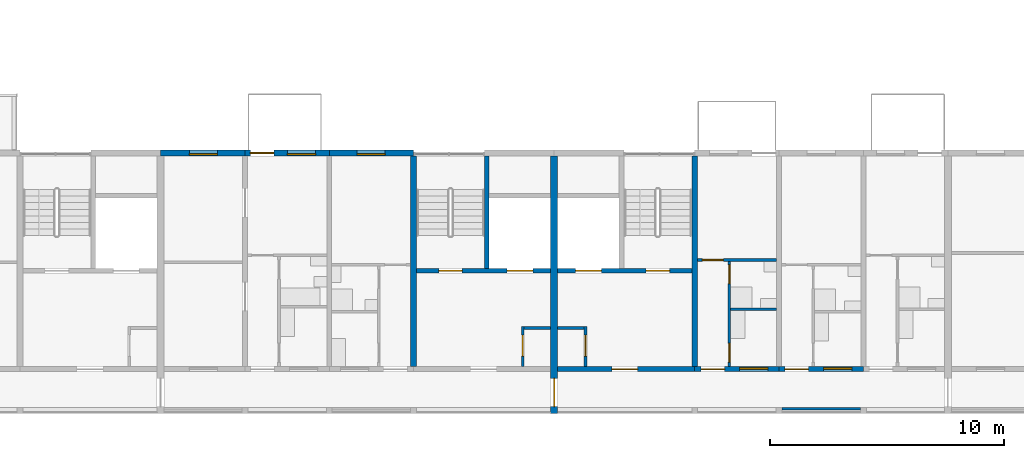
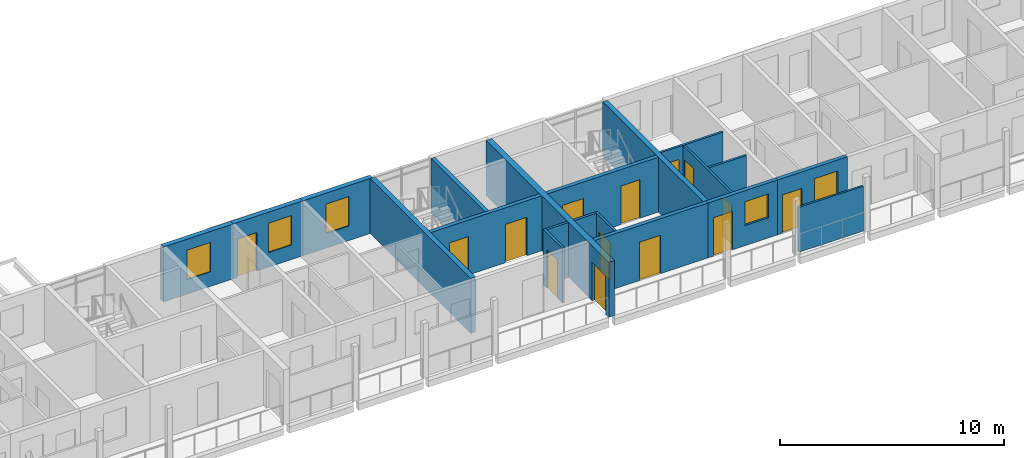
# One storey, part 38 of 87: 20 walls, 14 doors, 5 windows, 19 openings.
"""IFC4 building model written with IfcOpenShell, lengths in metres."""

from ifc_helpers import new_model, si_unit, direction, frame, frame_2d, origin, place, context, subcontext, project, spatial, rectangle, extrude, material, layer, layer_set, type_object, element, fill, save


model = new_model("IFC4")

# Units and contexts
model_context = context("Model", 3, precision=1e-05, world=origin(), true_north=direction((0.0, 1.0)))
body_context = subcontext(model_context, "Body", "Model", "MODEL_VIEW")
ifc_project = project(units=[si_unit("LENGTHUNIT", "METRE"), si_unit("AREAUNIT", "SQUARE_METRE"), si_unit("VOLUMEUNIT", "CUBIC_METRE"), si_unit("PLANEANGLEUNIT", "RADIAN"), si_unit("MASSUNIT", "GRAM", prefix="KILO")], contexts=[model_context])

# Site, building, storey
site_placement = place(None, origin())
site = spatial("IfcSite", under=ifc_project, at=site_placement, CompositionType="ELEMENT")
building_placement = place(site_placement, origin())
building = spatial("IfcBuilding", under=site, at=building_placement, Name="Ridgestep Commons", CompositionType="ELEMENT")
storey_placement = place(building_placement, frame((0.0, 0.0, 27.0)))
storey = spatial("IfcBuildingStorey", under=building, at=storey_placement, Name="L09", CompositionType="ELEMENT", Elevation=27.0)

# Walls
ifc_material_1 = material(Name="Concrete C30/37", Category="concrete")
ifc_layer_1 = layer(ifc_material_1, 0.25)
ifc_layer_set_1 = layer_set([ifc_layer_1], Name="Core cross wall 250")
wall_type_1 = type_object("IfcWallType", Name="Core cross wall 250", PredefinedType="SHEAR", material=ifc_layer_set_1)
for number, where, z_axis, x_axis, name in (
    (1, (39.60009765625, 13.75, 0.0), (0.0, 0.0, 1.0), (0.0, 1.0, 0.0), "Cross wall A-09-0396"),
    (2, (51.60009765625, 13.75, 0.0), (0.0, 0.0, 1.0), (0.0, 1.0, 0.0), "Cross wall A-09-0516"),
):
    element("IfcWall", number, at=place(storey_placement, frame(where, z_axis=z_axis, x_axis=x_axis)), inside=storey, type_object=wall_type_1, Name=name, PredefinedType="SHEAR", context=body_context, shape_type="SweptSolid", body=[
        extrude(rectangle(XDim=9.0, YDim=0.25, at=frame_2d((4.5, 0.0))), origin(), (0.0, 0.0, 1.0), 3.0),
    ])

# Wall, opening, door
ifc_material_2 = material(Name="Concrete C30/37", Category="concrete")
ifc_layer_2 = layer(ifc_material_2, 0.199951171875)
ifc_layer_set_2 = layer_set([ifc_layer_2], Name="Core south wall 200")
wall_type_2 = type_object("IfcWallType", Name="Core south wall 200", PredefinedType="SHEAR", material=ifc_layer_set_2)
wall_1_placement = place(storey_placement, frame((45.75, 13.64990234375, 0.0), z_axis=(0.0, 0.0, 1.0), x_axis=(1.0, 0.0, 0.0)))
wall_1 = element("IfcWall", 3, at=wall_1_placement, inside=storey, type_object=wall_type_2, Name="Core south wall A3C L09", PredefinedType="SHEAR", context=body_context, shape_type="SweptSolid", body=[
    extrude(rectangle(XDim=5.85009765625, YDim=0.199951171875, at=frame_2d((2.925048828125, 0.0))), origin(), (0.0, 0.0, 1.0), 3.0),
])
opening_1_placement = place(wall_1_placement, frame((2.3125, 0.0, 0.0)))
opening_1 = element("IfcOpeningElement", 4, at=opening_1_placement, cuts=wall_1, Name="Opening A3C/09/1", PredefinedType="OPENING", context=body_context, shape_type="SweptSolid", body=[
    extrude(rectangle(XDim=1.10009765625, YDim=2.10009765625, at=frame_2d((0.550048828125, 1.050048828125))), frame((0.0, 0.10986328125, 0.0), z_axis=(0.0, -1.0, 0.0), x_axis=(1.0, 0.0, 0.0)), (0.0, 0.0, 1.0), 0.219970703125),
])
ifc_material_3 = material(Name="Steel fire door", Category="steel")
door_type_1 = type_object("IfcDoorType", Name="Lobby door 1100 x 2100 FD60", OperationType="NOTDEFINED", PredefinedType="DOOR", material=ifc_material_3)
door_1_placement = place(opening_1_placement, origin())
door_1 = element("IfcDoor", 5, at=door_1_placement, inside=storey, type_object=door_type_1, Name="Lobby door A3C/09/1", OperationType="SINGLE_SWING_LEFT", OverallHeight=2.10009765625, OverallWidth=1.10009765625, PredefinedType="DOOR", context=body_context, shape_type="SweptSolid", body=[
    extrude(rectangle(XDim=1.10009765625, YDim=2.10009765625, at=frame_2d((0.550048828125, 1.050048828125))), frame((0.0, 0.02490234375, 0.0), z_axis=(0.0, -1.0, 0.0), x_axis=(1.0, 0.0, 0.0)), (0.0, 0.0, 1.0), 0.050048828125),
])
fill(opening_1, door_1)

ifc_material_4 = material(Name="Concrete C30/37", Category="concrete")
ifc_layer_3 = layer(ifc_material_4, 0.1201171875)
ifc_layer_set_3 = layer_set([ifc_layer_3], Name="Core wall 120")
wall_type_3 = type_object("IfcWallType", Name="Core wall 120", PredefinedType="SHEAR", material=ifc_layer_set_3)
wall_2_placement = place(storey_placement, frame((44.260009765625, 13.75, 0.0), z_axis=(0.0, 0.0, 1.0), x_axis=(0.0, 1.0, 0.0)))
wall_2 = element("IfcWall", 6, at=wall_2_placement, inside=storey, type_object=wall_type_3, Name="Core riser w wall A2C L09", PredefinedType="SHEAR", context=body_context, shape_type="SweptSolid", body=[
    extrude(rectangle(XDim=1.719970703125, YDim=0.1201171875, at=frame_2d((0.85986328125, 0.0))), origin(), (0.0, 0.0, 1.0), 3.0),
])
opening_2_placement = place(wall_2_placement, frame((0.449951171875, 0.0, 0.0)))
opening_2 = element("IfcOpeningElement", 7, at=opening_2_placement, cuts=wall_2, Name="Opening A2C/09/4", PredefinedType="OPENING", context=body_context, shape_type="SweptSolid", body=[
    extrude(rectangle(XDim=0.89990234375, YDim=2.10009765625, at=frame_2d((0.449951171875, 1.050048828125))), frame((0.0, 0.070068359375, 0.0), z_axis=(0.0, -1.0, 0.0), x_axis=(1.0, 0.0, 0.0)), (0.0, 0.0, 1.0), 0.14013671875),
])
ifc_material_5 = material(Name="Steel fire door", Category="steel")
door_type_2 = type_object("IfcDoorType", Name="Riser door 900 x 2100 FD60", OperationType="NOTDEFINED", PredefinedType="DOOR", material=ifc_material_5)
door_2_placement = place(opening_2_placement, origin())
door_2 = element("IfcDoor", 8, at=door_2_placement, inside=storey, type_object=door_type_2, Name="Riser door A2C/09/4", OperationType="SINGLE_SWING_LEFT", OverallHeight=2.10009765625, OverallWidth=0.89990234375, PredefinedType="DOOR", context=body_context, shape_type="SweptSolid", body=[
    extrude(rectangle(XDim=0.89990234375, YDim=2.10009765625, at=frame_2d((0.449951171875, 1.050048828125))), frame((0.0, 0.02490234375, 0.0), z_axis=(0.0, -1.0, 0.0), x_axis=(1.0, 0.0, 0.0)), (0.0, 0.0, 1.0), 0.050048828125),
])
fill(opening_2, door_2)

# Wall
wall_3_placement = place(storey_placement, frame((44.320068359375, 15.409912109375, 0.0), z_axis=(0.0, 0.0, 1.0), x_axis=(1.0, 0.0, 0.0)))
element("IfcWall", 9, at=wall_3_placement, inside=storey, type_object=wall_type_3, Name="Core riser n wall A2C L09", PredefinedType="SHEAR", context=body_context, shape_type="SweptSolid", body=[
    extrude(rectangle(XDim=1.1298828125, YDim=0.1201171875, at=frame_2d((0.56494140625, 0.0))), origin(), (0.0, 0.0, 1.0), 3.0),
])

# Wall, opening, door
wall_4_placement = place(storey_placement, frame((46.93994140625, 13.75, 0.0), z_axis=(0.0, 0.0, 1.0), x_axis=(0.0, 1.0, 0.0)))
wall_4 = element("IfcWall", 10, at=wall_4_placement, inside=storey, type_object=wall_type_3, Name="Core riser w wall A3C L09", PredefinedType="SHEAR", context=body_context, shape_type="SweptSolid", body=[
    extrude(rectangle(XDim=1.719970703125, YDim=0.1201171875, at=frame_2d((0.85986328125, 0.0))), origin(), (0.0, 0.0, 1.0), 3.0),
])
opening_3_placement = place(wall_4_placement, frame((0.449951171875, 0.0, 0.0)))
opening_3 = element("IfcOpeningElement", 11, at=opening_3_placement, cuts=wall_4, Name="Opening A3C/09/4", PredefinedType="OPENING", context=body_context, shape_type="SweptSolid", body=[
    extrude(rectangle(XDim=0.89990234375, YDim=2.10009765625, at=frame_2d((0.449951171875, 1.050048828125))), frame((0.0, 0.070068359375, 0.0), z_axis=(0.0, -1.0, 0.0), x_axis=(1.0, 0.0, 0.0)), (0.0, 0.0, 1.0), 0.14013671875),
])
door_3_placement = place(opening_3_placement, origin())
door_3 = element("IfcDoor", 12, at=door_3_placement, inside=storey, type_object=door_type_2, Name="Riser door A3C/09/4", OperationType="SINGLE_SWING_RIGHT", OverallHeight=2.10009765625, OverallWidth=0.89990234375, PredefinedType="DOOR", context=body_context, shape_type="SweptSolid", body=[
    extrude(rectangle(XDim=0.89990234375, YDim=2.10009765625, at=frame_2d((0.449951171875, 1.050048828125))), frame((0.0, 0.02490234375, 0.0), z_axis=(0.0, -1.0, 0.0), x_axis=(1.0, 0.0, 0.0)), (0.0, 0.0, 1.0), 0.050048828125),
])
fill(opening_3, door_3)

# Wall
wall_5_placement = place(storey_placement, frame((45.75, 15.409912109375, 0.0), z_axis=(0.0, 0.0, 1.0), x_axis=(1.0, 0.0, 0.0)))
element("IfcWall", 13, at=wall_5_placement, inside=storey, type_object=wall_type_3, Name="Core riser n wall A3C L09", PredefinedType="SHEAR", context=body_context, shape_type="SweptSolid", body=[
    extrude(rectangle(XDim=1.1298828125, YDim=0.1201171875, at=frame_2d((0.56494140625, 0.0))), origin(), (0.0, 0.0, 1.0), 3.0),
])

# Wall, openings, doors
ifc_material_6 = material(Name="Concrete C30/37", Category="concrete")
ifc_layer_4 = layer(ifc_material_6, 0.199951171875)
ifc_layer_set_4 = layer_set([ifc_layer_4], Name="Core wall 200")
wall_type_4 = type_object("IfcWallType", Name="Core wall 200", PredefinedType="SHEAR", material=ifc_layer_set_4)
wall_6_placement = place(storey_placement, frame((39.72509765625, 17.85009765625, 0.0), z_axis=(0.0, 0.0, 1.0), x_axis=(1.0, 0.0, 0.0)))
wall_6 = element("IfcWall", 14, at=wall_6_placement, inside=storey, type_object=wall_type_4, Name="Core lobby wall A2C L09", PredefinedType="SHEAR", context=body_context, shape_type="SweptSolid", body=[
    extrude(rectangle(XDim=5.724853515625, YDim=0.199951171875, at=frame_2d((2.8623046875, 0.0))), origin(), (0.0, 0.0, 1.0), 3.0),
])
opening_4_placement = place(wall_6_placement, frame((0.949951171875, 0.0, 0.0)))
opening_4 = element("IfcOpeningElement", 15, at=opening_4_placement, cuts=wall_6, Name="Opening A2C/09/2", PredefinedType="OPENING", context=body_context, shape_type="SweptSolid", body=[
    extrude(rectangle(XDim=1.0, YDim=2.10009765625, at=frame_2d((0.5, 1.050048828125))), frame((0.0, 0.10986328125, 0.0), z_axis=(0.0, -1.0, 0.0), x_axis=(1.0, 0.0, 0.0)), (0.0, 0.0, 1.0), 0.219970703125),
])
opening_5_placement = place(wall_6_placement, frame((3.862548828125, 0.0, 0.0)))
opening_5 = element("IfcOpeningElement", 16, at=opening_5_placement, cuts=wall_6, Name="Opening A2C/09/3", PredefinedType="OPENING", context=body_context, shape_type="SweptSolid", body=[
    extrude(rectangle(XDim=1.10009765625, YDim=2.10009765625, at=frame_2d((0.550048828125, 1.050048828125))), frame((0.0, 0.10986328125, 0.0), z_axis=(0.0, -1.0, 0.0), x_axis=(1.0, 0.0, 0.0)), (0.0, 0.0, 1.0), 0.219970703125),
])
ifc_material_7 = material(Name="Stainless steel", Category="steel")
door_type_3 = type_object("IfcDoorType", Name="Lift landing door 1100 x 2100 FD60", OperationType="DOUBLE_DOOR_SLIDING", PredefinedType="DOOR", material=ifc_material_7)
door_4_placement = place(opening_5_placement, origin())
door_4 = element("IfcDoor", 17, at=door_4_placement, inside=storey, type_object=door_type_3, Name="Landing door LD A2C L09", OperationType="DOUBLE_DOOR_SLIDING", OverallHeight=2.10009765625, OverallWidth=1.10009765625, PredefinedType="DOOR", context=body_context, shape_type="SweptSolid", body=[
    extrude(rectangle(XDim=1.10009765625, YDim=2.10009765625, at=frame_2d((0.550048828125, 1.050048828125))), frame((0.0, 0.02490234375, 0.0), z_axis=(0.0, -1.0, 0.0), x_axis=(1.0, 0.0, 0.0)), (0.0, 0.0, 1.0), 0.050048828125),
])
fill(opening_5, door_4)
ifc_material_8 = material(Name="Steel fire door", Category="steel")
door_type_4 = type_object("IfcDoorType", Name="Stair door 1000 x 2100 FD60", OperationType="NOTDEFINED", PredefinedType="DOOR", material=ifc_material_8)
door_5_placement = place(opening_4_placement, origin())
door_5 = element("IfcDoor", 18, at=door_5_placement, inside=storey, type_object=door_type_4, Name="Stair door A2C/09/2", OperationType="SINGLE_SWING_RIGHT", OverallHeight=2.10009765625, OverallWidth=1.0, PredefinedType="DOOR", context=body_context, shape_type="SweptSolid", body=[
    extrude(rectangle(XDim=1.0, YDim=2.10009765625, at=frame_2d((0.5, 1.050048828125))), frame((0.0, 0.02490234375, 0.0), z_axis=(0.0, -1.0, 0.0), x_axis=(1.0, 0.0, 0.0)), (0.0, 0.0, 1.0), 0.050048828125),
])
fill(opening_4, door_5)

# Wall
wall_7_placement = place(storey_placement, frame((42.72509765625, 17.949951171875, 0.0), z_axis=(0.0, 0.0, 1.0), x_axis=(0.0, 1.0, 0.0)))
element("IfcWall", 19, at=wall_7_placement, inside=storey, type_object=wall_type_4, Name="Core stair wall A2C L09", PredefinedType="SHEAR", context=body_context, shape_type="SweptSolid", body=[
    extrude(rectangle(XDim=4.800048828125, YDim=0.199951171875, at=frame_2d((2.39990234375, 0.0))), origin(), (0.0, 0.0, 1.0), 3.0),
])

# Wall, openings, doors
wall_8_placement = place(storey_placement, frame((45.75, 17.85009765625, 0.0), z_axis=(0.0, 0.0, 1.0), x_axis=(1.0, 0.0, 0.0)))
wall_8 = element("IfcWall", 20, at=wall_8_placement, inside=storey, type_object=wall_type_4, Name="Core lobby wall A3C L09", PredefinedType="SHEAR", context=body_context, shape_type="SweptSolid", body=[
    extrude(rectangle(XDim=5.72509765625, YDim=0.199951171875, at=frame_2d((2.862548828125, 0.0))), origin(), (0.0, 0.0, 1.0), 3.0),
])
opening_6_placement = place(wall_8_placement, frame((3.77490234375, 0.0, 0.0)))
opening_6 = element("IfcOpeningElement", 21, at=opening_6_placement, cuts=wall_8, Name="Opening A3C/09/2", PredefinedType="OPENING", context=body_context, shape_type="SweptSolid", body=[
    extrude(rectangle(XDim=1.0, YDim=2.10009765625, at=frame_2d((0.5, 1.050048828125))), frame((0.0, 0.10986328125, 0.0), z_axis=(0.0, -1.0, 0.0), x_axis=(1.0, 0.0, 0.0)), (0.0, 0.0, 1.0), 0.219970703125),
])
opening_7_placement = place(wall_8_placement, frame((0.762451171875, 0.0, 0.0)))
opening_7 = element("IfcOpeningElement", 22, at=opening_7_placement, cuts=wall_8, Name="Opening A3C/09/3", PredefinedType="OPENING", context=body_context, shape_type="SweptSolid", body=[
    extrude(rectangle(XDim=1.10009765625, YDim=2.10009765625, at=frame_2d((0.550048828125, 1.050048828125))), frame((0.0, 0.10986328125, 0.0), z_axis=(0.0, -1.0, 0.0), x_axis=(1.0, 0.0, 0.0)), (0.0, 0.0, 1.0), 0.219970703125),
])
door_6_placement = place(opening_7_placement, origin())
door_6 = element("IfcDoor", 23, at=door_6_placement, inside=storey, type_object=door_type_3, Name="Landing door LD A3C L09", OperationType="DOUBLE_DOOR_SLIDING", OverallHeight=2.10009765625, OverallWidth=1.10009765625, PredefinedType="DOOR", context=body_context, shape_type="SweptSolid", body=[
    extrude(rectangle(XDim=1.10009765625, YDim=2.10009765625, at=frame_2d((0.550048828125, 1.050048828125))), frame((0.0, 0.02490234375, 0.0), z_axis=(0.0, -1.0, 0.0), x_axis=(1.0, 0.0, 0.0)), (0.0, 0.0, 1.0), 0.050048828125),
])
fill(opening_7, door_6)
door_7_placement = place(opening_6_placement, origin())
door_7 = element("IfcDoor", 24, at=door_7_placement, inside=storey, type_object=door_type_4, Name="Stair door A3C/09/2", OperationType="SINGLE_SWING_RIGHT", OverallHeight=2.10009765625, OverallWidth=1.0, PredefinedType="DOOR", context=body_context, shape_type="SweptSolid", body=[
    extrude(rectangle(XDim=1.0, YDim=2.10009765625, at=frame_2d((0.5, 1.050048828125))), frame((0.0, 0.02490234375, 0.0), z_axis=(0.0, -1.0, 0.0), x_axis=(1.0, 0.0, 0.0)), (0.0, 0.0, 1.0), 0.050048828125),
])
fill(opening_6, door_7)

# Wall, opening, door
ifc_material_9 = material(Name="Precast concrete C40/50", Category="concrete")
ifc_layer_5 = layer(ifc_material_9, 0.300048828125)
ifc_layer_set_5 = layer_set([ifc_layer_5], Name="Division wall 300")
wall_type_5 = type_object("IfcWallType", Name="Division wall 300", PredefinedType="SHEAR", material=ifc_layer_set_5)
wall_9_placement = place(storey_placement, frame((45.60009765625, 11.75, 0.0), z_axis=(0.0, 0.0, 1.0), x_axis=(0.0, 1.0, 0.0)))
wall_9 = element("IfcWall", 25, at=wall_9_placement, inside=storey, type_object=wall_type_5, Name="Cross wall A-09-0456", PredefinedType="SHEAR", context=body_context, shape_type="SweptSolid", body=[
    extrude(rectangle(XDim=11.0, YDim=0.300048828125, at=frame_2d((5.5, 0.0))), origin(), (0.0, 0.0, 1.0), 3.0),
])
opening_8_placement = place(wall_9_placement, frame((0.300048828125, 0.0, 0.0)))
opening_8 = element("IfcOpeningElement", 26, at=opening_8_placement, cuts=wall_9, Name="Opening A/09/G0456", PredefinedType="OPENING", context=body_context, shape_type="SweptSolid", body=[
    extrude(rectangle(XDim=1.199951171875, YDim=2.10009765625, at=frame_2d((0.60009765625, 1.050048828125))), frame((0.0, 0.159912109375, 0.0), z_axis=(0.0, -1.0, 0.0), x_axis=(1.0, 0.0, 0.0)), (0.0, 0.0, 1.0), 0.320068359375),
])
ifc_material_10 = material(Name="Steel fire door", Category="steel")
door_type_5 = type_object("IfcDoorType", Name="Division fire door 1200 x 2100 EI 240", OperationType="DOUBLE_DOOR_SINGLE_SWING", PredefinedType="DOOR", material=ifc_material_10)
door_8_placement = place(opening_8_placement, origin())
door_8 = element("IfcDoor", 27, at=door_8_placement, inside=storey, type_object=door_type_5, Name="Division fire door A/09/G0456", OperationType="DOUBLE_DOOR_SINGLE_SWING", OverallHeight=2.10009765625, OverallWidth=1.199951171875, PredefinedType="DOOR", context=body_context, shape_type="SweptSolid", body=[
    extrude(rectangle(XDim=1.199951171875, YDim=2.10009765625, at=frame_2d((0.60009765625, 1.050048828125))), frame((0.0, 0.02490234375, 0.0), z_axis=(0.0, -1.0, 0.0), x_axis=(1.0, 0.0, 0.0)), (0.0, 0.0, 1.0), 0.050048828125),
])
fill(opening_8, door_8)

# Wall, opening, window
ifc_material_11 = material(Name="Precast concrete C40/50", Category="concrete")
ifc_layer_6 = layer(ifc_material_11, 0.25)
ifc_layer_set_6 = layer_set([ifc_layer_6], Name="North facade panel 250")
wall_type_6 = type_object("IfcWallType", Name="North facade panel 250", PredefinedType="SOLIDWALL", material=ifc_layer_set_6)
wall_10_placement = place(storey_placement, frame((28.800048828125, 22.875, 0.0), z_axis=(0.0, 0.0, 1.0), x_axis=(1.0, 0.0, 0.0)))
wall_10 = element("IfcWall", 28, at=wall_10_placement, inside=storey, type_object=wall_type_6, Name="North panel A2T1 L09", PredefinedType="SOLIDWALL", context=body_context, shape_type="SweptSolid", body=[
    extrude(rectangle(XDim=3.599853515625, YDim=0.25, at=frame_2d((1.7998046875, 0.0))), origin(), (0.0, 0.0, 1.0), 3.0),
])
opening_9_placement = place(wall_10_placement, frame((1.22509765625, 0.0, 0.800048828125)))
opening_9 = element("IfcOpeningElement", 29, at=opening_9_placement, cuts=wall_10, Name="Opening W11", PredefinedType="OPENING", context=body_context, shape_type="SweptSolid", body=[
    extrude(rectangle(XDim=1.199951171875, YDim=1.60009765625, at=frame_2d((0.60009765625, 0.800048828125))), frame((0.0, 0.135009765625, 0.0), z_axis=(0.0, -1.0, 0.0), x_axis=(1.0, 0.0, 0.0)), (0.0, 0.0, 1.0), 0.27001953125),
])
ifc_material_12 = material(Name="Aluminium 6063-T6 and glass", Category="aluminium")
window_type_1 = type_object("IfcWindowType", Name="Flat window 1200 x 1600", PartitioningType="SINGLE_PANEL", PredefinedType="WINDOW", material=ifc_material_12)
window_1_placement = place(opening_9_placement, origin())
window_1 = element("IfcWindow", 30, at=window_1_placement, inside=storey, type_object=window_type_1, Name="Window A2-09a 2", OverallHeight=1.60009765625, OverallWidth=1.199951171875, PartitioningType="SINGLE_PANEL", PredefinedType="WINDOW", context=body_context, shape_type="SweptSolid", body=[
    extrude(rectangle(XDim=1.199951171875, YDim=1.60009765625, at=frame_2d((0.60009765625, 0.800048828125))), frame((0.0, -0.02490234375, 0.0), z_axis=(0.0, -1.0, 0.0), x_axis=(1.0, 0.0, 0.0)), (0.0, 0.0, 1.0), 0.06005859375),
])
fill(opening_9, window_1)

# Wall, openings, door, window
wall_11_placement = place(storey_placement, frame((32.39990234375, 22.875, 0.0), z_axis=(0.0, 0.0, 1.0), x_axis=(1.0, 0.0, 0.0)))
wall_11 = element("IfcWall", 31, at=wall_11_placement, inside=storey, type_object=wall_type_6, Name="North panel A2T2 L09", PredefinedType="SOLIDWALL", context=body_context, shape_type="SweptSolid", body=[
    extrude(rectangle(XDim=3.60009765625, YDim=0.25, at=frame_2d((1.800048828125, 0.0))), origin(), (0.0, 0.0, 1.0), 3.0),
])
opening_10_placement = place(wall_11_placement, frame((1.81591796875, 0.0, 0.800048828125)))
opening_10 = element("IfcOpeningElement", 32, at=opening_10_placement, cuts=wall_11, Name="Opening W11", PredefinedType="OPENING", context=body_context, shape_type="SweptSolid", body=[
    extrude(rectangle(XDim=1.199951171875, YDim=1.60009765625, at=frame_2d((0.60009765625, 0.800048828125))), frame((0.0, 0.135009765625, 0.0), z_axis=(0.0, -1.0, 0.0), x_axis=(1.0, 0.0, 0.0)), (0.0, 0.0, 1.0), 0.27001953125),
])
opening_11_placement = place(wall_11_placement, frame((0.23193359375, 0.0, 0.0)))
opening_11 = element("IfcOpeningElement", 33, at=opening_11_placement, cuts=wall_11, Name="Opening A2-09a/7", PredefinedType="OPENING", context=body_context, shape_type="SweptSolid", body=[
    extrude(rectangle(XDim=1.0, YDim=2.10009765625, at=frame_2d((0.5, 1.050048828125))), frame((0.0, 0.135009765625, 0.0), z_axis=(0.0, -1.0, 0.0), x_axis=(1.0, 0.0, 0.0)), (0.0, 0.0, 1.0), 0.27001953125),
])
ifc_material_13 = material(Name="Aluminium and glass", Category="aluminium")
door_type_6 = type_object("IfcDoorType", Name="Balcony door 1000 x 2100", OperationType="NOTDEFINED", PredefinedType="DOOR", material=ifc_material_13)
door_9_placement = place(opening_11_placement, origin())
door_9 = element("IfcDoor", 34, at=door_9_placement, inside=storey, type_object=door_type_6, Name="Balcony door A2-09a/7", OperationType="SINGLE_SWING_RIGHT", OverallHeight=2.10009765625, OverallWidth=1.0, PredefinedType="DOOR", context=body_context, shape_type="SweptSolid", body=[
    extrude(rectangle(XDim=1.0, YDim=2.10009765625, at=frame_2d((0.5, 1.050048828125))), frame((0.0, 0.02490234375, 0.0), z_axis=(0.0, -1.0, 0.0), x_axis=(1.0, 0.0, 0.0)), (0.0, 0.0, 1.0), 0.050048828125),
])
fill(opening_11, door_9)
window_2_placement = place(opening_10_placement, origin())
window_2 = element("IfcWindow", 35, at=window_2_placement, inside=storey, type_object=window_type_1, Name="Window A2-09a 4", OverallHeight=1.60009765625, OverallWidth=1.199951171875, PartitioningType="SINGLE_PANEL", PredefinedType="WINDOW", context=body_context, shape_type="SweptSolid", body=[
    extrude(rectangle(XDim=1.199951171875, YDim=1.60009765625, at=frame_2d((0.60009765625, 0.800048828125))), frame((0.0, -0.02490234375, 0.0), z_axis=(0.0, -1.0, 0.0), x_axis=(1.0, 0.0, 0.0)), (0.0, 0.0, 1.0), 0.06005859375),
])
fill(opening_10, window_2)

# Wall, opening, window
wall_12_placement = place(storey_placement, frame((36.0, 22.875, 0.0), z_axis=(0.0, 0.0, 1.0), x_axis=(1.0, 0.0, 0.0)))
wall_12 = element("IfcWall", 36, at=wall_12_placement, inside=storey, type_object=wall_type_6, Name="North panel A2T3 L09", PredefinedType="SOLIDWALL", context=body_context, shape_type="SweptSolid", body=[
    extrude(rectangle(XDim=3.60009765625, YDim=0.25, at=frame_2d((1.800048828125, 0.0))), origin(), (0.0, 0.0, 1.0), 3.0),
])
opening_12_placement = place(wall_12_placement, frame((1.1875, 0.0, 0.800048828125)))
opening_12 = element("IfcOpeningElement", 37, at=opening_12_placement, cuts=wall_12, Name="Opening W11", PredefinedType="OPENING", context=body_context, shape_type="SweptSolid", body=[
    extrude(rectangle(XDim=1.199951171875, YDim=1.60009765625, at=frame_2d((0.60009765625, 0.800048828125))), frame((0.0, 0.135009765625, 0.0), z_axis=(0.0, -1.0, 0.0), x_axis=(1.0, 0.0, 0.0)), (0.0, 0.0, 1.0), 0.27001953125),
])
window_3_placement = place(opening_12_placement, origin())
window_3 = element("IfcWindow", 38, at=window_3_placement, inside=storey, type_object=window_type_1, Name="Window A2-09b 2", OverallHeight=1.60009765625, OverallWidth=1.199951171875, PartitioningType="SINGLE_PANEL", PredefinedType="WINDOW", context=body_context, shape_type="SweptSolid", body=[
    extrude(rectangle(XDim=1.199951171875, YDim=1.60009765625, at=frame_2d((0.60009765625, 0.800048828125))), frame((0.0, -0.02490234375, 0.0), z_axis=(0.0, -1.0, 0.0), x_axis=(1.0, 0.0, 0.0)), (0.0, 0.0, 1.0), 0.06005859375),
])
fill(opening_12, window_3)

# Wall, openings, doors
ifc_material_14 = material(Name="Common brick 110 mm", Category="masonry")
ifc_layer_7 = layer(ifc_material_14, 0.110107421875)
ifc_layer_set_7 = layer_set([ifc_layer_7], Name="Partition 110")
wall_type_7 = type_object("IfcWallType", Name="Partition 110", PredefinedType="PARTITIONING", material=ifc_layer_set_7)
wall_13_placement = place(storey_placement, frame((53.080078125, 13.75, 0.0), z_axis=(0.0, 0.0, 1.0), x_axis=(0.0, 1.0, 0.0)))
wall_13 = element("IfcWall", 39, at=wall_13_placement, inside=storey, type_object=wall_type_7, Name="Partition A3-09c", PredefinedType="PARTITIONING", context=body_context, shape_type="SweptSolid", body=[
    extrude(rectangle(XDim=4.5, YDim=0.110107421875, at=frame_2d((2.25, 0.0))), origin(), (0.0, 0.0, 1.0), 2.800048828125),
])
opening_13_placement = place(wall_13_placement, frame((0.199951171875, 0.0, 0.0)))
opening_13 = element("IfcOpeningElement", 40, at=opening_13_placement, cuts=wall_13, Name="Opening A3-09c/2", PredefinedType="OPENING", context=body_context, shape_type="SweptSolid", body=[
    extrude(rectangle(XDim=0.800048828125, YDim=2.10009765625, at=frame_2d((0.39990234375, 1.050048828125))), frame((0.0, 0.06494140625, 0.0), z_axis=(0.0, -1.0, 0.0), x_axis=(1.0, 0.0, 0.0)), (0.0, 0.0, 1.0), 0.130126953125),
])
opening_14_placement = place(wall_13_placement, frame((3.550048828125, 0.0, 0.0)))
opening_14 = element("IfcOpeningElement", 41, at=opening_14_placement, cuts=wall_13, Name="Opening A3-09c/3", PredefinedType="OPENING", context=body_context, shape_type="SweptSolid", body=[
    extrude(rectangle(XDim=0.800048828125, YDim=2.10009765625, at=frame_2d((0.39990234375, 1.050048828125))), frame((0.0, 0.06494140625, 0.0), z_axis=(0.0, -1.0, 0.0), x_axis=(1.0, 0.0, 0.0)), (0.0, 0.0, 1.0), 0.130126953125),
])
ifc_material_15 = material(Name="Timber door leaf", Category="wood")
door_type_7 = type_object("IfcDoorType", Name="Internal door 800 x 2100", OperationType="NOTDEFINED", PredefinedType="DOOR", material=ifc_material_15)
door_10_placement = place(opening_13_placement, origin())
door_10 = element("IfcDoor", 42, at=door_10_placement, inside=storey, type_object=door_type_7, Name="Internal door A3-09c/2", OperationType="SINGLE_SWING_RIGHT", OverallHeight=2.10009765625, OverallWidth=0.800048828125, PredefinedType="DOOR", context=body_context, shape_type="SweptSolid", body=[
    extrude(rectangle(XDim=0.800048828125, YDim=2.10009765625, at=frame_2d((0.39990234375, 1.050048828125))), frame((0.0, 0.02490234375, 0.0), z_axis=(0.0, -1.0, 0.0), x_axis=(1.0, 0.0, 0.0)), (0.0, 0.0, 1.0), 0.050048828125),
])
fill(opening_13, door_10)
door_11_placement = place(opening_14_placement, origin())
door_11 = element("IfcDoor", 43, at=door_11_placement, inside=storey, type_object=door_type_7, Name="Internal door A3-09c/3", OperationType="SINGLE_SWING_LEFT", OverallHeight=2.10009765625, OverallWidth=0.800048828125, PredefinedType="DOOR", context=body_context, shape_type="SweptSolid", body=[
    extrude(rectangle(XDim=0.800048828125, YDim=2.10009765625, at=frame_2d((0.39990234375, 1.050048828125))), frame((0.0, 0.02490234375, 0.0), z_axis=(0.0, -1.0, 0.0), x_axis=(1.0, 0.0, 0.0)), (0.0, 0.0, 1.0), 0.050048828125),
])
fill(opening_14, door_11)

# Wall
wall_14_placement = place(storey_placement, frame((53.135009765625, 16.205078125, 0.0), z_axis=(0.0, 0.0, 1.0), x_axis=(1.0, 0.0, 0.0)))
element("IfcWall", 44, at=wall_14_placement, inside=storey, type_object=wall_type_7, Name="Partition A3-09c", PredefinedType="PARTITIONING", context=body_context, shape_type="SweptSolid", body=[
    extrude(rectangle(XDim=1.965087890625, YDim=0.110107421875, at=frame_2d((0.982421875, 0.0))), origin(), (0.0, 0.0, 1.0), 2.800048828125),
])

# Wall, opening, door
wall_15_placement = place(storey_placement, frame((51.72509765625, 18.304931640625, 0.0), z_axis=(0.0, 0.0, 1.0), x_axis=(1.0, 0.0, 0.0)))
wall_15 = element("IfcWall", 45, at=wall_15_placement, inside=storey, type_object=wall_type_7, Name="Partition A3-09c", PredefinedType="PARTITIONING", context=body_context, shape_type="SweptSolid", body=[
    extrude(rectangle(XDim=3.375, YDim=0.110107421875, at=frame_2d((1.6875, 0.0))), origin(), (0.0, 0.0, 1.0), 2.800048828125),
])
opening_15_placement = place(wall_15_placement, frame((0.199951171875, 0.0, 0.0)))
opening_15 = element("IfcOpeningElement", 46, at=opening_15_placement, cuts=wall_15, Name="Opening A3-09c/4", PredefinedType="OPENING", context=body_context, shape_type="SweptSolid", body=[
    extrude(rectangle(XDim=0.89990234375, YDim=2.10009765625, at=frame_2d((0.449951171875, 1.050048828125))), frame((0.0, 0.06494140625, 0.0), z_axis=(0.0, -1.0, 0.0), x_axis=(1.0, 0.0, 0.0)), (0.0, 0.0, 1.0), 0.130126953125),
])
ifc_material_16 = material(Name="Timber door leaf", Category="wood")
door_type_8 = type_object("IfcDoorType", Name="Internal door 900 x 2100", OperationType="NOTDEFINED", PredefinedType="DOOR", material=ifc_material_16)
door_12_placement = place(opening_15_placement, origin())
door_12 = element("IfcDoor", 47, at=door_12_placement, inside=storey, type_object=door_type_8, Name="Internal door A3-09c/4", OperationType="SINGLE_SWING_LEFT", OverallHeight=2.10009765625, OverallWidth=0.89990234375, PredefinedType="DOOR", context=body_context, shape_type="SweptSolid", body=[
    extrude(rectangle(XDim=0.89990234375, YDim=2.10009765625, at=frame_2d((0.449951171875, 1.050048828125))), frame((0.0, 0.02490234375, 0.0), z_axis=(0.0, -1.0, 0.0), x_axis=(1.0, 0.0, 0.0)), (0.0, 0.0, 1.0), 0.050048828125),
])
fill(opening_15, door_12)

# Wall
ifc_material_17 = material(Name="Precast concrete C30/37", Category="concrete")
ifc_layer_8 = layer(ifc_material_17, 0.10009765625)
ifc_layer_set_8 = layer_set([ifc_layer_8], Name="Perforated gallery screen 3350 x 2450 x 100")
wall_type_8 = type_object("IfcWallType", Name="Perforated gallery screen 3350 x 2450 x 100", PredefinedType="SOLIDWALL", material=ifc_layer_set_8)
wall_16_placement = place(storey_placement, frame((55.324951171875, 11.949951171875, 0.0), z_axis=(0.0, 0.0, 1.0), x_axis=(1.0, 0.0, 0.0)))
element("IfcWall", 48, at=wall_16_placement, inside=storey, type_object=wall_type_8, Name="Gallery screen A3T2 09", PredefinedType="SOLIDWALL", context=body_context, shape_type="SweptSolid", body=[
    extrude(rectangle(XDim=3.35009765625, YDim=0.10009765625, at=frame_2d((1.675048828125, 0.0))), origin(), (0.0, 0.0, 1.0), 2.449951171875),
])

# Wall, openings, door, window
ifc_material_18 = material(Name="Precast concrete C40/50", Category="concrete")
ifc_layer_9 = layer(ifc_material_18, 0.199951171875)
ifc_layer_set_9 = layer_set([ifc_layer_9], Name="South facade panel 200")
wall_type_9 = type_object("IfcWallType", Name="South facade panel 200", PredefinedType="SOLIDWALL", material=ifc_layer_set_9)
wall_17_placement = place(storey_placement, frame((51.60009765625, 13.64990234375, 0.0), z_axis=(0.0, 0.0, 1.0), x_axis=(1.0, 0.0, 0.0)))
wall_17 = element("IfcWall", 49, at=wall_17_placement, inside=storey, type_object=wall_type_9, Name="South panel A3T3 L09", PredefinedType="SOLIDWALL", context=body_context, shape_type="SweptSolid", body=[
    extrude(rectangle(XDim=3.599853515625, YDim=0.199951171875, at=frame_2d((1.7998046875, 0.0))), origin(), (0.0, 0.0, 1.0), 3.0),
])
opening_16_placement = place(wall_17_placement, frame((1.91748046875, 0.0, 1.10009765625)))
opening_16 = element("IfcOpeningElement", 50, at=opening_16_placement, cuts=wall_17, Name="Opening W08", PredefinedType="OPENING", context=body_context, shape_type="SweptSolid", body=[
    extrude(rectangle(XDim=1.199951171875, YDim=1.300048828125, at=frame_2d((0.60009765625, 0.64990234375))), frame((0.0, 0.10986328125, 0.0), z_axis=(0.0, -1.0, 0.0), x_axis=(1.0, 0.0, 0.0)), (0.0, 0.0, 1.0), 0.219970703125),
])
opening_17_placement = place(wall_17_placement, frame((0.27490234375, 0.0, 0.0)))
opening_17 = element("IfcOpeningElement", 51, at=opening_17_placement, cuts=wall_17, Name="Opening A3-09c/1", PredefinedType="OPENING", context=body_context, shape_type="SweptSolid", body=[
    extrude(rectangle(XDim=1.0, YDim=2.10009765625, at=frame_2d((0.5, 1.050048828125))), frame((0.0, 0.10986328125, 0.0), z_axis=(0.0, -1.0, 0.0), x_axis=(1.0, 0.0, 0.0)), (0.0, 0.0, 1.0), 0.219970703125),
])
ifc_material_19 = material(Name="Timber door leaf", Category="wood")
door_type_9 = type_object("IfcDoorType", Name="Flat entrance door 1000 x 2100 FD30S", OperationType="NOTDEFINED", PredefinedType="DOOR", material=ifc_material_19)
door_13_placement = place(opening_17_placement, origin())
door_13 = element("IfcDoor", 52, at=door_13_placement, inside=storey, type_object=door_type_9, Name="Flat entrance door A3-09c/1", OperationType="SINGLE_SWING_LEFT", OverallHeight=2.10009765625, OverallWidth=1.0, PredefinedType="DOOR", context=body_context, shape_type="SweptSolid", body=[
    extrude(rectangle(XDim=1.0, YDim=2.10009765625, at=frame_2d((0.5, 1.050048828125))), frame((0.0, 0.02490234375, 0.0), z_axis=(0.0, -1.0, 0.0), x_axis=(1.0, 0.0, 0.0)), (0.0, 0.0, 1.0), 0.050048828125),
])
fill(opening_17, door_13)
ifc_material_20 = material(Name="Aluminium 6063-T6 and glass", Category="aluminium")
window_type_2 = type_object("IfcWindowType", Name="Flat window 1200 x 1300", PartitioningType="SINGLE_PANEL", PredefinedType="WINDOW", material=ifc_material_20)
window_4_placement = place(opening_16_placement, origin())
window_4 = element("IfcWindow", 53, at=window_4_placement, inside=storey, type_object=window_type_2, Name="Window A3-09c 1", OverallHeight=1.300048828125, OverallWidth=1.199951171875, PartitioningType="SINGLE_PANEL", PredefinedType="WINDOW", context=body_context, shape_type="SweptSolid", body=[
    extrude(rectangle(XDim=1.199951171875, YDim=1.300048828125, at=frame_2d((0.60009765625, 0.64990234375))), frame((0.0, 0.06005859375, 0.0), z_axis=(0.0, -1.0, 0.0), x_axis=(1.0, 0.0, 0.0)), (0.0, 0.0, 1.0), 0.06005859375),
])
fill(opening_16, window_4)

wall_18_placement = place(storey_placement, frame((55.199951171875, 13.64990234375, 0.0), z_axis=(0.0, 0.0, 1.0), x_axis=(1.0, 0.0, 0.0)))
wall_18 = element("IfcWall", 54, at=wall_18_placement, inside=storey, type_object=wall_type_9, Name="South panel A3T2 L09", PredefinedType="SOLIDWALL", context=body_context, shape_type="SweptSolid", body=[
    extrude(rectangle(XDim=3.60009765625, YDim=0.199951171875, at=frame_2d((1.800048828125, 0.0))), origin(), (0.0, 0.0, 1.0), 3.0),
])
opening_18_placement = place(wall_18_placement, frame((1.905029296875, 0.0, 1.10009765625)))
opening_18 = element("IfcOpeningElement", 55, at=opening_18_placement, cuts=wall_18, Name="Opening W08", PredefinedType="OPENING", context=body_context, shape_type="SweptSolid", body=[
    extrude(rectangle(XDim=1.199951171875, YDim=1.300048828125, at=frame_2d((0.60009765625, 0.64990234375))), frame((0.0, 0.10986328125, 0.0), z_axis=(0.0, -1.0, 0.0), x_axis=(1.0, 0.0, 0.0)), (0.0, 0.0, 1.0), 0.219970703125),
])
opening_19_placement = place(wall_18_placement, frame((0.25, 0.0, 0.0)))
opening_19 = element("IfcOpeningElement", 56, at=opening_19_placement, cuts=wall_18, Name="Opening A3-09b/1", PredefinedType="OPENING", context=body_context, shape_type="SweptSolid", body=[
    extrude(rectangle(XDim=1.0, YDim=2.10009765625, at=frame_2d((0.5, 1.050048828125))), frame((0.0, 0.10986328125, 0.0), z_axis=(0.0, -1.0, 0.0), x_axis=(1.0, 0.0, 0.0)), (0.0, 0.0, 1.0), 0.219970703125),
])
door_14_placement = place(opening_19_placement, origin())
door_14 = element("IfcDoor", 57, at=door_14_placement, inside=storey, type_object=door_type_9, Name="Flat entrance door A3-09b/1", OperationType="SINGLE_SWING_LEFT", OverallHeight=2.10009765625, OverallWidth=1.0, PredefinedType="DOOR", context=body_context, shape_type="SweptSolid", body=[
    extrude(rectangle(XDim=1.0, YDim=2.10009765625, at=frame_2d((0.5, 1.050048828125))), frame((0.0, 0.02490234375, 0.0), z_axis=(0.0, -1.0, 0.0), x_axis=(1.0, 0.0, 0.0)), (0.0, 0.0, 1.0), 0.050048828125),
])
fill(opening_19, door_14)
window_5_placement = place(opening_18_placement, origin())
window_5 = element("IfcWindow", 58, at=window_5_placement, inside=storey, type_object=window_type_2, Name="Window A3-09b 1", OverallHeight=1.300048828125, OverallWidth=1.199951171875, PartitioningType="SINGLE_PANEL", PredefinedType="WINDOW", context=body_context, shape_type="SweptSolid", body=[
    extrude(rectangle(XDim=1.199951171875, YDim=1.300048828125, at=frame_2d((0.60009765625, 0.64990234375))), frame((0.0, 0.06005859375, 0.0), z_axis=(0.0, -1.0, 0.0), x_axis=(1.0, 0.0, 0.0)), (0.0, 0.0, 1.0), 0.06005859375),
])
fill(opening_18, window_5)

save(model, "model.ifc")
